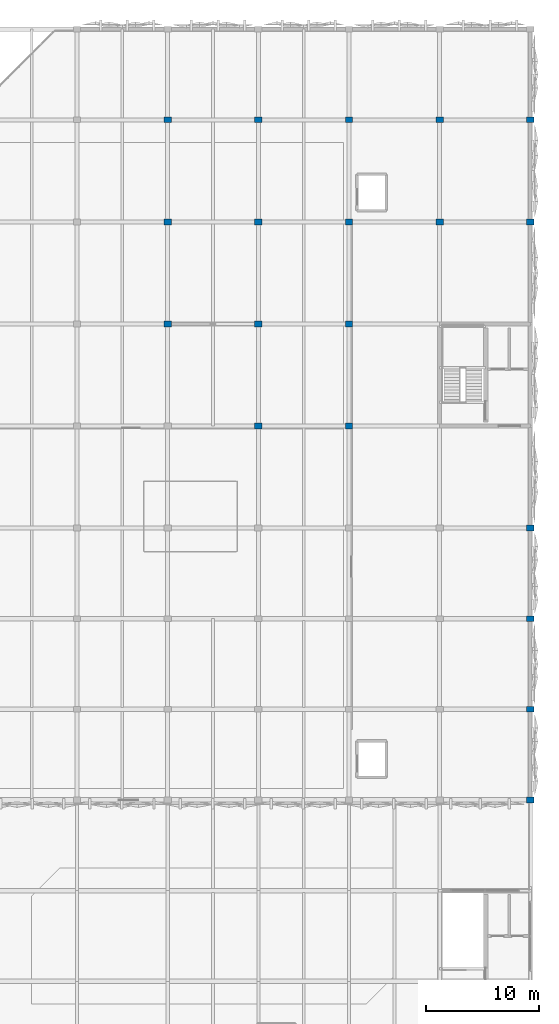
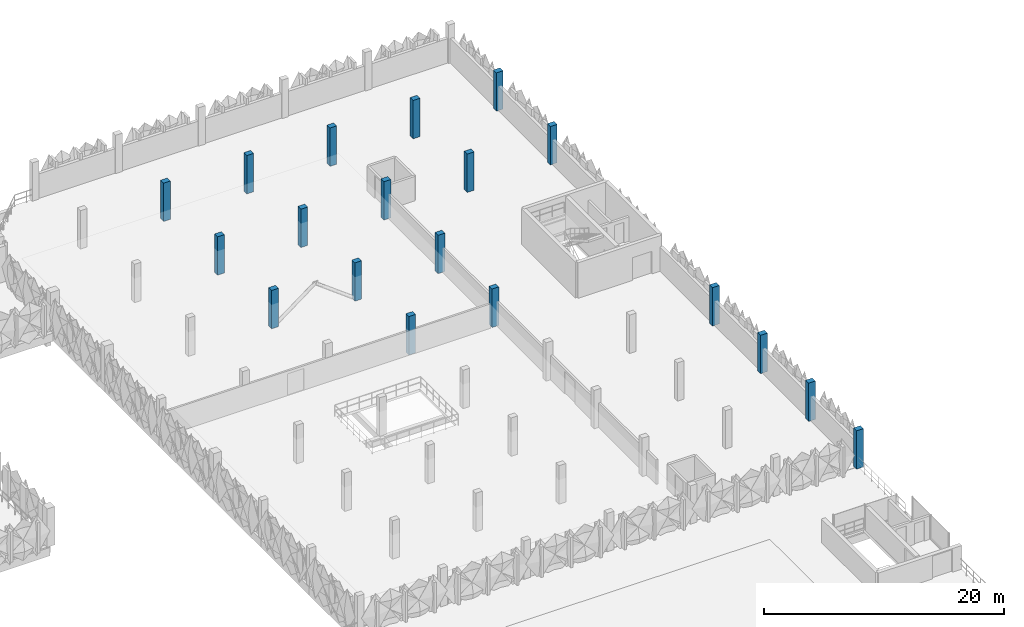
# One storey, part 7 of 76: 19 columns.
"""IFC4 building model written with IfcOpenShell, lengths in metres."""

import ifcopenshell
import ifcopenshell.guid

model = None  # the IFC model being written
_history = None  # IfcOwnerHistory: only IFC2X3 demands one
_inside = {}  # id of a spatial element -> (the spatial element, [elements in it])
_under = {}  # id of a project, library or spatial element -> (it, [spatial elements below it])
_declared = {}  # id of a project -> (the project, [libraries it declares])
_typed = {}  # id of a type object -> (the type object, [elements of that type])
_made_of = {}  # id of a material, layer set ... -> (it, [elements and type objects made of it])


def new_model(schema):
    """Start an empty IFC model of exactly this schema.

    Asked for "IFC4X3", IfcOpenShell would pick the latest addendum, in which some entities
    have other attributes; the version numbers below select the first issue.
    IFC2X3 requires an IfcOwnerHistory on every rooted entity: one is made here for all.
    """
    global model, _history
    if schema == "IFC4X3":
        model = ifcopenshell.file(schema_version=(4, 3, 0, 0))
    else:
        model = ifcopenshell.file(schema=schema)
    _inside.clear()
    _under.clear()
    _declared.clear()
    _typed.clear()
    _made_of.clear()
    _history = None
    if model.schema == "IFC2X3":
        org = make("IfcOrganization", Name="unknown")
        user = make(
            "IfcPersonAndOrganization",
            ThePerson=make("IfcPerson", FamilyName="unknown"),
            TheOrganization=org,
        )
        app = make(
            "IfcApplication",
            ApplicationDeveloper=org,
            Version="unknown",
            ApplicationFullName="unknown",
            ApplicationIdentifier="unknown",
        )
        _history = make(
            "IfcOwnerHistory",
            OwningUser=user,
            OwningApplication=app,
            ChangeAction="ADDED",
            CreationDate=0,
        )
    return model


def make(cls, **values):
    """One entity of the class cls with the attributes given. An attribute that is None is left unset."""
    return model.create_entity(
        cls, **{name: value for name, value in values.items() if value is not None}
    )


def rooted(cls, **values):
    """An entity with a GlobalId (a new one), such as an element, a storey or a relation."""
    return make(cls, GlobalId=ifcopenshell.guid.new(), OwnerHistory=_history, **values)


def si_unit(unit_type, name, prefix=None):
    """IfcSIUnit, for example si_unit("LENGTHUNIT", "METRE", prefix="MILLI")."""
    return make("IfcSIUnit", UnitType=unit_type, Prefix=prefix, Name=name)


def derived_unit(unit_type, elements):
    """IfcDerivedUnit: a product of units, each with its exponent."""
    return make(
        "IfcDerivedUnit",
        Elements=[
            make("IfcDerivedUnitElement", Unit=unit, Exponent=power)
            for unit, power in elements
        ],
        UnitType=unit_type,
    )


def assignment(units):
    """IfcUnitAssignment: the units of a project."""
    return None if units is None else make("IfcUnitAssignment", Units=units)


def point(xyz):
    """IfcCartesianPoint."""
    return None if xyz is None else make("IfcCartesianPoint", Coordinates=xyz)


def direction(xyz):
    """IfcDirection."""
    return None if xyz is None else make("IfcDirection", DirectionRatios=xyz)


def frame(location, z_axis=None, x_axis=None):
    """IfcAxis2Placement3D, a coordinate frame: its origin and axes. An axis left out is left unset."""
    return make(
        "IfcAxis2Placement3D",
        Location=point(location),
        Axis=direction(z_axis),
        RefDirection=direction(x_axis),
    )


def frame_2d(location, x_axis=None):
    """IfcAxis2Placement2D, a coordinate frame in the plane: its origin and x axis."""
    return make(
        "IfcAxis2Placement2D", Location=point(location), RefDirection=direction(x_axis)
    )


def origin():
    """The frame at (0, 0, 0) with its axes left unset."""
    return frame((0.0, 0.0, 0.0))


def origin_2d():
    """The frame at (0, 0) in the plane with its x axis left unset."""
    return frame_2d((0.0, 0.0))


def place(relative_to, where):
    """IfcLocalPlacement: puts the frame where relative to a parent placement (None: the world)."""
    return make(
        "IfcLocalPlacement", PlacementRelTo=relative_to, RelativePlacement=where
    )


def context(
    kind, dimensions, precision=None, world=None, true_north=None, identifier=None
):
    """IfcGeometricRepresentationContext, for example the 3D "Model" context."""
    return make(
        "IfcGeometricRepresentationContext",
        ContextIdentifier=identifier,
        ContextType=kind,
        CoordinateSpaceDimension=dimensions,
        Precision=precision,
        WorldCoordinateSystem=world,
        TrueNorth=true_north,
    )


def subcontext(parent, identifier, kind, view, scale=None):
    """IfcGeometricRepresentationSubContext, for example "Body" below "Model"."""
    return make(
        "IfcGeometricRepresentationSubContext",
        ContextIdentifier=identifier,
        ContextType=kind,
        ParentContext=parent,
        TargetScale=scale,
        TargetView=view,
    )


def project(units=None, contexts=None):
    """IfcProject with its units and contexts."""
    return rooted(
        "IfcProject",
        Name="project",
        RepresentationContexts=contexts,
        UnitsInContext=assignment(units),
    )


def spatial(cls, under=None, at=None, **own):
    """A site, building, storey or space (cls), placed at a placement, below another one or the project."""
    s = rooted(cls, ObjectPlacement=at, **own)
    if under is not None:
        _under.setdefault(under.id(), (under, []))[1].append(s)
    return s


def profile(cls, at=None, kind="AREA", **sizes):
    """A parametric profile (cls). Its sizes go by their IFC names, for example OverallWidth=200.0."""
    return make(cls, ProfileType=kind, Position=at, **sizes)


def rectangle(**sizes):
    """IfcRectangleProfileDef."""
    return profile("IfcRectangleProfileDef", **sizes)


def extrude(swept, where, along, depth):
    """IfcExtrudedAreaSolid: the profile swept, set in the frame where, extruded along a direction by depth."""
    return make(
        "IfcExtrudedAreaSolid",
        SweptArea=swept,
        Position=where,
        ExtrudedDirection=direction(along),
        Depth=depth,
    )


def shape(context_of_items, identifier, shape_type, items):
    """IfcShapeRepresentation: the items that make up one representation, for example the "Body"."""
    return make(
        "IfcShapeRepresentation",
        ContextOfItems=context_of_items,
        RepresentationIdentifier=identifier,
        RepresentationType=shape_type,
        Items=items,
    )


def material(Name=None, Category=None):
    """IfcMaterial."""
    return make("IfcMaterial", Name=Name, Category=Category)


def material_profile(
    of_material, cross_section, Name=None, Category=None, Priority=None
):
    """IfcMaterialProfile: a cross section and its material."""
    return make(
        "IfcMaterialProfile",
        Name=Name,
        Material=of_material,
        Profile=cross_section,
        Priority=Priority,
        Category=Category,
    )


def profile_set(profiles, Name=None, composite=None):
    """IfcMaterialProfileSet."""
    return make(
        "IfcMaterialProfileSet",
        Name=Name,
        MaterialProfiles=profiles,
        CompositeProfile=composite,
    )


def made_of(thing, what):
    """Note that an element or type object is made of a material, layer set ...; save() writes the relation."""
    if what is not None:
        _made_of.setdefault(what.id(), (what, []))[1].append(thing)
    return thing


def type_object(cls, material=None, **own):
    """A type object (cls), such as IfcWallType, which elements share."""
    return made_of(rooted(cls, **own), material)


def element(
    cls,
    number,
    at=None,
    inside=None,
    cuts=None,
    type_object=None,
    material=None,
    context=None,
    identifier="Body",
    shape_type=None,
    held_by="IfcProductDefinitionShape",
    body=None,
    shapes=None,
    **own,
):
    """One element of the class cls, such as IfcWall. Its Tag is "e" and its number.

    at: its placement. inside: the storey or other place that contains it. cuts: it is an
    opening in that element (IfcRelVoidsElement). A single representation is given by context,
    identifier, shape_type and body (its items); several are given by shapes. held_by: the class
    of the entity that holds the representations. save() writes the other relations.
    """
    e = rooted(cls, Tag="e%d" % number, ObjectPlacement=at, **own)
    if body is not None:
        shapes = [shape(context, identifier, shape_type, body)]
    if shapes is not None:
        e.Representation = make(held_by, Representations=shapes)
    if inside is not None:
        _inside.setdefault(inside.id(), (inside, []))[1].append(e)
    if cuts is not None:
        rooted(
            "IfcRelVoidsElement", RelatingBuildingElement=cuts, RelatedOpeningElement=e
        )
    if type_object is not None:
        _typed.setdefault(type_object.id(), (type_object, []))[1].append(e)
    return made_of(e, material)


def aggregate(whole, parts):
    """IfcRelAggregates: a whole, such as a stair, and the parts it consists of."""
    return rooted("IfcRelAggregates", RelatingObject=whole, RelatedObjects=parts)


def save(model, path):
    """Write the relations noted so far, then the file.

    IfcRelAggregates (storeys below a building ...), IfcRelContainedInSpatialStructure (elements
    in a storey), IfcRelDefinesByType, IfcRelAssociatesMaterial and IfcRelDeclares: one each for
    every whole, place, type object, material and project.
    """
    for whole, parts in _under.values():
        aggregate(whole, parts)
    for where, things in _inside.values():
        rooted(
            "IfcRelContainedInSpatialStructure",
            RelatedElements=things,
            RelatingStructure=where,
        )
    for kind, things in _typed.values():
        rooted("IfcRelDefinesByType", RelatedObjects=things, RelatingType=kind)
    for what, things in _made_of.values():
        rooted("IfcRelAssociatesMaterial", RelatedObjects=things, RelatingMaterial=what)
    for by, libraries in _declared.values():
        rooted("IfcRelDeclares", RelatingContext=by, RelatedDefinitions=libraries)
    model.write(path)


model = new_model("IFC4")

# Units and contexts
model_context = context("Model", 3, precision=1e-05, world=origin(), true_north=direction((0.0, 1.0)))
body_context = subcontext(model_context, "Body", "Model", "MODEL_VIEW")
ifc_project = project(units=[si_unit("LENGTHUNIT", "METRE"), si_unit("AREAUNIT", "SQUARE_METRE"), si_unit("VOLUMEUNIT", "CUBIC_METRE"), si_unit("PLANEANGLEUNIT", "RADIAN"), si_unit("MASSUNIT", "GRAM", prefix="KILO"), si_unit("THERMODYNAMICTEMPERATUREUNIT", "KELVIN"), derived_unit("THERMALTRANSMITTANCEUNIT", [(si_unit("POWERUNIT", "WATT"), 1), (si_unit("AREAUNIT", "SQUARE_METRE"), -1), (si_unit("THERMODYNAMICTEMPERATUREUNIT", "KELVIN"), -1)])], contexts=[model_context])

# Site, building, storey
site_placement = place(None, origin())
site = spatial("IfcSite", under=ifc_project, at=site_placement, CompositionType="ELEMENT")
building_placement = place(site_placement, origin())
building = spatial("IfcBuilding", under=site, at=building_placement, Name="Haiyu Intermodal Mobility Hub", CompositionType="ELEMENT")
storey_placement = place(building_placement, frame((0.0, 0.0, 17.300048828125)))
storey = spatial("IfcBuildingStorey", under=building, at=storey_placement, Name="L04", CompositionType="ELEMENT", Elevation=17.300048828125)

# Columns
ifc_material = material(Name="Concrete C40", Category="concrete")
ifc_material_profile_1 = material_profile(ifc_material, rectangle(XDim=0.64990234375, YDim=0.5, at=origin_2d()), Name="C650x500")
ifc_profile_set_1 = profile_set([ifc_material_profile_1], Name="Concrete C40")
column_type_1 = type_object("IfcColumnType", Name="COL-CC17", PredefinedType="COLUMN", material=ifc_profile_set_1)
for number, where, z_axis, x_axis, name in (
    (1, (178.0, 122.0, 0.0), (0.0, 0.0, 1.0), (1.0, 0.0, 0.0), "Column V6-20P L04"),
    (2, (178.0, 131.0, 0.0), (0.0, 0.0, 1.0), (1.0, 0.0, 0.0), "Column V6-20Q L04"),
    (3, (178.0, 140.0, 0.0), (0.0, 0.0, 1.0), (1.0, 0.0, 0.0), "Column V6-20R L04"),
    (4, (186.0, 113.0, 0.0), (0.0, 0.0, 1.0), (1.0, 0.0, 0.0), "Column V6-21N L04"),
    (5, (186.0, 122.0, 0.0), (0.0, 0.0, 1.0), (1.0, 0.0, 0.0), "Column V6-21P L04"),
    (6, (186.0, 131.0, 0.0), (0.0, 0.0, 1.0), (1.0, 0.0, 0.0), "Column V6-21Q L04"),
    (7, (186.0, 140.0, 0.0), (0.0, 0.0, 1.0), (1.0, 0.0, 0.0), "Column V6-21R L04"),
    (8, (194.0, 113.0, 0.0), (0.0, 0.0, 1.0), (1.0, 0.0, 0.0), "Column V6-22N L04"),
    (9, (194.0, 122.0, 0.0), (0.0, 0.0, 1.0), (1.0, 0.0, 0.0), "Column V6-22P L04"),
    (10, (194.0, 131.0, 0.0), (0.0, 0.0, 1.0), (1.0, 0.0, 0.0), "Column V6-22Q L04"),
    (11, (194.0, 140.0, 0.0), (0.0, 0.0, 1.0), (1.0, 0.0, 0.0), "Column V6-22R L04"),
    (12, (202.0, 131.0, 0.0), (0.0, 0.0, 1.0), (1.0, 0.0, 0.0), "Column V6-23Q L04"),
    (13, (202.0, 140.0, 0.0), (0.0, 0.0, 1.0), (1.0, 0.0, 0.0), "Column V6-23R L04"),
):
    element("IfcColumn", number, at=place(storey_placement, frame(where, z_axis=z_axis, x_axis=x_axis)), inside=storey, type_object=column_type_1, Name=name, PredefinedType="COLUMN", context=body_context, shape_type="SweptSolid", body=[
        extrude(rectangle(XDim=0.64990234375, YDim=0.5, at=origin_2d()), origin(), (0.0, 0.0, 1.0), 3.89990234375),
    ])
ifc_material_profile_2 = material_profile(ifc_material, rectangle(XDim=0.64990234375, YDim=0.5, at=origin_2d()), Name="C650x500")
ifc_profile_set_2 = profile_set([ifc_material_profile_2], Name="Concrete C40")
column_type_2 = type_object("IfcColumnType", Name="COL-CC17-EXT", PredefinedType="COLUMN", material=ifc_profile_set_2)
for number, where, z_axis, x_axis, name in (
    (14, (210.0, 80.0, 0.0), (0.0, 0.0, 1.0), (1.0, 0.0, 0.0), "Column V5-24J L04"),
    (15, (210.0, 88.0, 0.0), (0.0, 0.0, 1.0), (1.0, 0.0, 0.0), "Column V6-24K L04"),
    (16, (210.0, 96.0, 0.0), (0.0, 0.0, 1.0), (1.0, 0.0, 0.0), "Column V6-24L L04"),
    (17, (210.0, 104.0, 0.0), (0.0, 0.0, 1.0), (1.0, 0.0, 0.0), "Column V6-24M L04"),
    (18, (210.0, 131.0, 0.0), (0.0, 0.0, 1.0), (1.0, 0.0, 0.0), "Column V6-24Q L04"),
    (19, (210.0, 140.0, 0.0), (0.0, 0.0, 1.0), (1.0, 0.0, 0.0), "Column V6-24R L04"),
):
    element("IfcColumn", number, at=place(storey_placement, frame(where, z_axis=z_axis, x_axis=x_axis)), inside=storey, type_object=column_type_2, Name=name, PredefinedType="COLUMN", context=body_context, shape_type="SweptSolid", body=[
        extrude(rectangle(XDim=0.64990234375, YDim=0.5, at=origin_2d()), origin(), (0.0, 0.0, 1.0), 3.89990234375),
    ])

save(model, "model.ifc")
